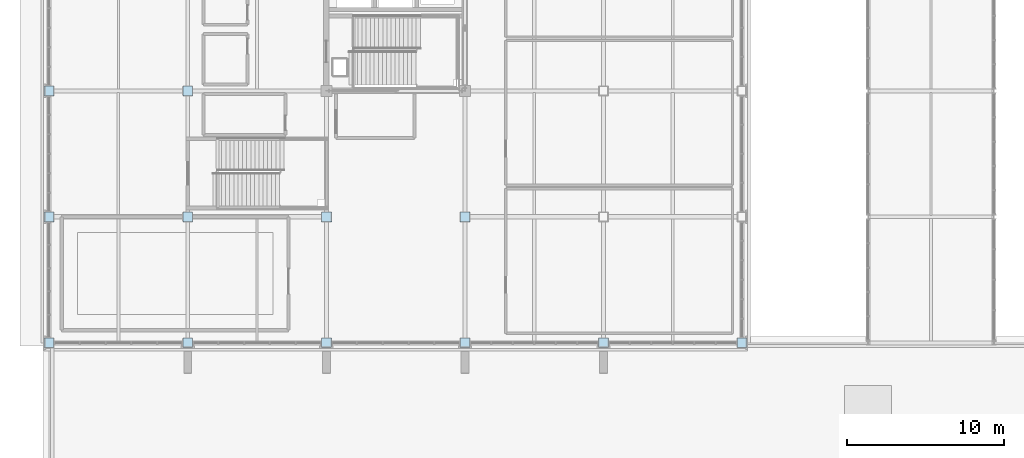
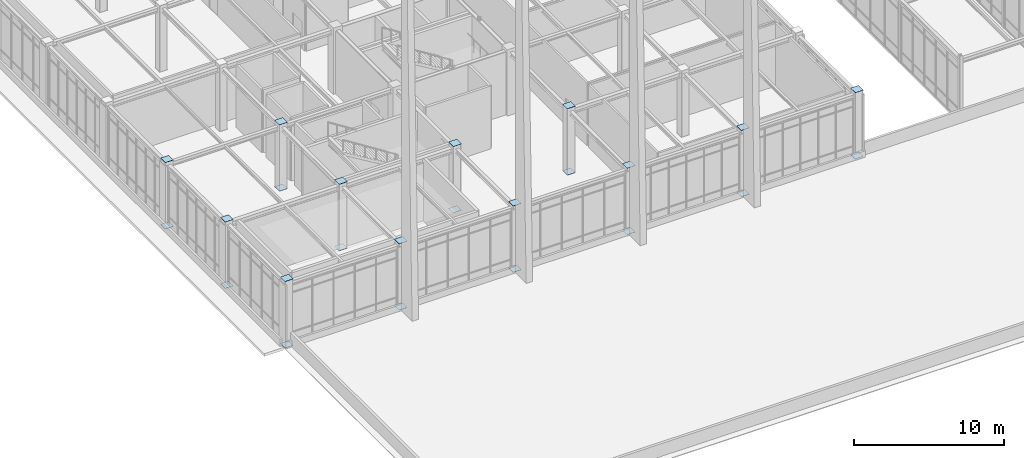
# One storey, part 71 of 108: 24 plates.
"""IFC4 building model written with IfcOpenShell, lengths in metres."""

from ifc_helpers import new_model, si_unit, direction, frame, origin, origin_2d, place, context, subcontext, project, spatial, rectangle, extrude, material, layer, layer_set, type_object, element, save


model = new_model("IFC4")

# Units and contexts
model_context = context("Model", 3, precision=1e-05, world=origin(), true_north=direction((0.0, 1.0)))
body_context = subcontext(model_context, "Body", "Model", "MODEL_VIEW")
ifc_project = project(units=[si_unit("LENGTHUNIT", "METRE"), si_unit("AREAUNIT", "SQUARE_METRE"), si_unit("VOLUMEUNIT", "CUBIC_METRE"), si_unit("PLANEANGLEUNIT", "RADIAN"), si_unit("MASSUNIT", "GRAM", prefix="KILO")], contexts=[model_context])

# Site, building, storey
site_placement = place(None, origin())
site = spatial("IfcSite", under=ifc_project, at=site_placement, CompositionType="ELEMENT")
building_placement = place(site_placement, origin())
building = spatial("IfcBuilding", under=site, at=building_placement, Name="Zhaolan Boulevard Law Courts", CompositionType="ELEMENT")
storey_placement = place(building_placement, frame((0.0, 0.0, 10.800048828125)))
storey = spatial("IfcBuildingStorey", under=building, at=storey_placement, Name="L02", CompositionType="ELEMENT", Elevation=10.800048828125)

# Plates
ifc_material = material(Name="Structural steel Q355B", Category="steel")
ifc_layer = layer(ifc_material, 0.02001953125)
ifc_layer_set = layer_set([ifc_layer])
plate_type = type_object("IfcPlateType", Name="END CAP PLATE 20", PredefinedType="SHEET", material=ifc_layer_set)
for number, where, z_axis, x_axis, name in (
    (1, (0.0, 30.0, -0.01806640625), (0.0, 0.0, 1.0), (1.0, 0.0, 0.0), "Hollow Section End-Cap Plate ECP-0007"),
    (2, (0.0, 30.0, 5.39794921875), (0.0, 0.0, 1.0), (1.0, 0.0, 0.0), "Hollow Section End-Cap Plate ECP-0008"),
    (3, (0.0, 38.0, -0.01806640625), (0.0, 0.0, 1.0), (1.0, 0.0, 0.0), "Hollow Section End-Cap Plate ECP-0027"),
    (4, (0.0, 38.0, 5.39794921875), (0.0, 0.0, 1.0), (1.0, 0.0, 0.0), "Hollow Section End-Cap Plate ECP-0028"),
    (5, (0.0, 46.0, -0.01806640625), (0.0, 0.0, 1.0), (1.0, 0.0, 0.0), "Hollow Section End-Cap Plate ECP-0049"),
    (6, (0.0, 46.0, 5.39794921875), (0.0, 0.0, 1.0), (1.0, 0.0, 0.0), "Hollow Section End-Cap Plate ECP-0050"),
    (7, (8.800048828125, 30.0, -0.01806640625), (0.0, 0.0, 1.0), (1.0, 0.0, 0.0), "Hollow Section End-Cap Plate ECP-0141"),
    (8, (8.800048828125, 30.0, 5.39794921875), (0.0, 0.0, 1.0), (1.0, 0.0, 0.0), "Hollow Section End-Cap Plate ECP-0142"),
    (9, (8.800048828125, 38.0, -0.01806640625), (0.0, 0.0, 1.0), (1.0, 0.0, 0.0), "Hollow Section End-Cap Plate ECP-0161"),
    (10, (8.800048828125, 38.0, 5.39794921875), (0.0, 0.0, 1.0), (1.0, 0.0, 0.0), "Hollow Section End-Cap Plate ECP-0162"),
    (11, (8.800048828125, 46.0, -0.01806640625), (0.0, 0.0, 1.0), (1.0, 0.0, 0.0), "Hollow Section End-Cap Plate ECP-0183"),
    (12, (8.800048828125, 46.0, 5.39794921875), (0.0, 0.0, 1.0), (1.0, 0.0, 0.0), "Hollow Section End-Cap Plate ECP-0184"),
    (13, (17.60009765625, 30.0, -0.01806640625), (0.0, 0.0, 1.0), (1.0, 0.0, 0.0), "Hollow Section End-Cap Plate ECP-0275"),
    (14, (17.60009765625, 30.0, 5.39794921875), (0.0, 0.0, 1.0), (1.0, 0.0, 0.0), "Hollow Section End-Cap Plate ECP-0276"),
    (15, (17.60009765625, 38.0, -0.01806640625), (0.0, 0.0, 1.0), (1.0, 0.0, 0.0), "Hollow Section End-Cap Plate ECP-0295"),
    (16, (17.60009765625, 38.0, 5.39794921875), (0.0, 0.0, 1.0), (1.0, 0.0, 0.0), "Hollow Section End-Cap Plate ECP-0296"),
    (17, (26.39990234375, 30.0, -0.01806640625), (0.0, 0.0, 1.0), (1.0, 0.0, 0.0), "Hollow Section End-Cap Plate ECP-0321"),
    (18, (26.39990234375, 30.0, 5.39794921875), (0.0, 0.0, 1.0), (1.0, 0.0, 0.0), "Hollow Section End-Cap Plate ECP-0322"),
    (19, (26.39990234375, 38.0, -0.01806640625), (0.0, 0.0, 1.0), (1.0, 0.0, 0.0), "Hollow Section End-Cap Plate ECP-0341"),
    (20, (26.39990234375, 38.0, 5.39794921875), (0.0, 0.0, 1.0), (1.0, 0.0, 0.0), "Hollow Section End-Cap Plate ECP-0342"),
    (21, (35.199951171875, 30.0, -0.01806640625), (0.0, 0.0, 1.0), (1.0, 0.0, 0.0), "Hollow Section End-Cap Plate ECP-0363"),
    (22, (35.199951171875, 30.0, 5.39794921875), (0.0, 0.0, 1.0), (1.0, 0.0, 0.0), "Hollow Section End-Cap Plate ECP-0364"),
    (23, (44.0, 30.0, -0.01806640625), (0.0, 0.0, 1.0), (1.0, 0.0, 0.0), "Hollow Section End-Cap Plate ECP-0493"),
    (24, (44.0, 30.0, 5.39794921875), (0.0, 0.0, 1.0), (1.0, 0.0, 0.0), "Hollow Section End-Cap Plate ECP-0494"),
):
    element("IfcPlate", number, at=place(storey_placement, frame(where, z_axis=z_axis, x_axis=x_axis)), inside=storey, type_object=plate_type, Name=name, PredefinedType="SHEET", context=body_context, shape_type="SweptSolid", body=[
        extrude(rectangle(XDim=0.6298828125, YDim=0.6298828125, at=origin_2d()), origin(), (0.0, 0.0, 1.0), 0.02001953125),
    ])

save(model, "model.ifc")
